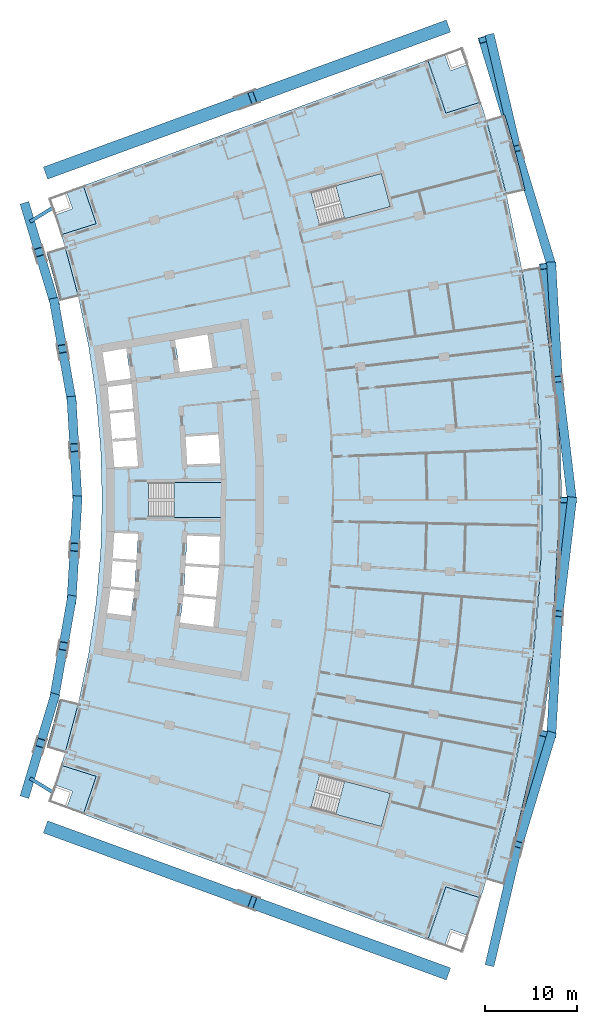
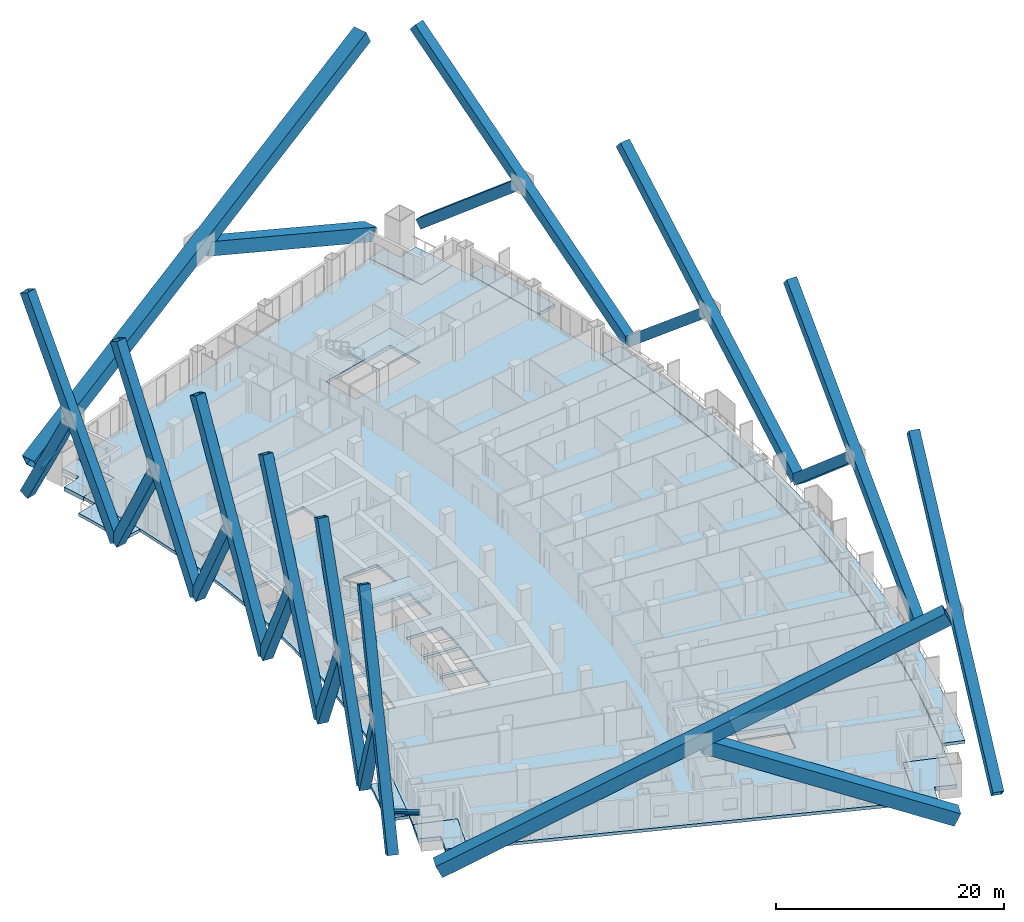
# One storey, part 12 of 25: 26 members, 12 slabs, 3 elements without a shape of their own.
"""IFC4 building model written with IfcOpenShell, lengths in metres."""

import ifcopenshell
import ifcopenshell.guid

model = None  # the IFC model being written
_history = None  # IfcOwnerHistory: only IFC2X3 demands one
_inside = {}  # id of a spatial element -> (the spatial element, [elements in it])
_under = {}  # id of a project, library or spatial element -> (it, [spatial elements below it])
_declared = {}  # id of a project -> (the project, [libraries it declares])
_typed = {}  # id of a type object -> (the type object, [elements of that type])
_made_of = {}  # id of a material, layer set ... -> (it, [elements and type objects made of it])


def new_model(schema):
    """Start an empty IFC model of exactly this schema.

    Asked for "IFC4X3", IfcOpenShell would pick the latest addendum, in which some entities
    have other attributes; the version numbers below select the first issue.
    IFC2X3 requires an IfcOwnerHistory on every rooted entity: one is made here for all.
    """
    global model, _history
    if schema == "IFC4X3":
        model = ifcopenshell.file(schema_version=(4, 3, 0, 0))
    else:
        model = ifcopenshell.file(schema=schema)
    _inside.clear()
    _under.clear()
    _declared.clear()
    _typed.clear()
    _made_of.clear()
    _history = None
    if model.schema == "IFC2X3":
        org = make("IfcOrganization", Name="unknown")
        user = make(
            "IfcPersonAndOrganization",
            ThePerson=make("IfcPerson", FamilyName="unknown"),
            TheOrganization=org,
        )
        app = make(
            "IfcApplication",
            ApplicationDeveloper=org,
            Version="unknown",
            ApplicationFullName="unknown",
            ApplicationIdentifier="unknown",
        )
        _history = make(
            "IfcOwnerHistory",
            OwningUser=user,
            OwningApplication=app,
            ChangeAction="ADDED",
            CreationDate=0,
        )
    return model


def make(cls, **values):
    """One entity of the class cls with the attributes given. An attribute that is None is left unset."""
    return model.create_entity(
        cls, **{name: value for name, value in values.items() if value is not None}
    )


def rooted(cls, **values):
    """An entity with a GlobalId (a new one), such as an element, a storey or a relation."""
    return make(cls, GlobalId=ifcopenshell.guid.new(), OwnerHistory=_history, **values)


def si_unit(unit_type, name, prefix=None):
    """IfcSIUnit, for example si_unit("LENGTHUNIT", "METRE", prefix="MILLI")."""
    return make("IfcSIUnit", UnitType=unit_type, Prefix=prefix, Name=name)


def assignment(units):
    """IfcUnitAssignment: the units of a project."""
    return None if units is None else make("IfcUnitAssignment", Units=units)


def point(xyz):
    """IfcCartesianPoint."""
    return None if xyz is None else make("IfcCartesianPoint", Coordinates=xyz)


def direction(xyz):
    """IfcDirection."""
    return None if xyz is None else make("IfcDirection", DirectionRatios=xyz)


def frame(location, z_axis=None, x_axis=None):
    """IfcAxis2Placement3D, a coordinate frame: its origin and axes. An axis left out is left unset."""
    return make(
        "IfcAxis2Placement3D",
        Location=point(location),
        Axis=direction(z_axis),
        RefDirection=direction(x_axis),
    )


def frame_2d(location, x_axis=None):
    """IfcAxis2Placement2D, a coordinate frame in the plane: its origin and x axis."""
    return make(
        "IfcAxis2Placement2D", Location=point(location), RefDirection=direction(x_axis)
    )


def origin():
    """The frame at (0, 0, 0) with its axes left unset."""
    return frame((0.0, 0.0, 0.0))


def origin_2d():
    """The frame at (0, 0) in the plane with its x axis left unset."""
    return frame_2d((0.0, 0.0))


def place(relative_to, where):
    """IfcLocalPlacement: puts the frame where relative to a parent placement (None: the world)."""
    return make(
        "IfcLocalPlacement", PlacementRelTo=relative_to, RelativePlacement=where
    )


def context(
    kind, dimensions, precision=None, world=None, true_north=None, identifier=None
):
    """IfcGeometricRepresentationContext, for example the 3D "Model" context."""
    return make(
        "IfcGeometricRepresentationContext",
        ContextIdentifier=identifier,
        ContextType=kind,
        CoordinateSpaceDimension=dimensions,
        Precision=precision,
        WorldCoordinateSystem=world,
        TrueNorth=true_north,
    )


def subcontext(parent, identifier, kind, view, scale=None):
    """IfcGeometricRepresentationSubContext, for example "Body" below "Model"."""
    return make(
        "IfcGeometricRepresentationSubContext",
        ContextIdentifier=identifier,
        ContextType=kind,
        ParentContext=parent,
        TargetScale=scale,
        TargetView=view,
    )


def project(units=None, contexts=None):
    """IfcProject with its units and contexts."""
    return rooted(
        "IfcProject",
        Name="project",
        RepresentationContexts=contexts,
        UnitsInContext=assignment(units),
    )


def spatial(cls, under=None, at=None, **own):
    """A site, building, storey or space (cls), placed at a placement, below another one or the project."""
    s = rooted(cls, ObjectPlacement=at, **own)
    if under is not None:
        _under.setdefault(under.id(), (under, []))[1].append(s)
    return s


def polyline(points):
    """IfcPolyline through the points."""
    return make("IfcPolyline", Points=[point(p) for p in points])


def profile(cls, at=None, kind="AREA", **sizes):
    """A parametric profile (cls). Its sizes go by their IFC names, for example OverallWidth=200.0."""
    return make(cls, ProfileType=kind, Position=at, **sizes)


def hollow_rectangle(**sizes):
    """IfcRectangleHollowProfileDef."""
    return profile("IfcRectangleHollowProfileDef", **sizes)


def i_section(**sizes):
    """IfcIShapeProfileDef."""
    return profile("IfcIShapeProfileDef", **sizes)


def outline(outer, holes=None, kind="AREA"):
    """IfcArbitraryClosedProfileDef: a profile drawn as a closed curve; with holes, ...WithVoids."""
    if holes is None:
        return make("IfcArbitraryClosedProfileDef", ProfileType=kind, OuterCurve=outer)
    return make(
        "IfcArbitraryProfileDefWithVoids",
        ProfileType=kind,
        OuterCurve=outer,
        InnerCurves=holes,
    )


def extrude(swept, where, along, depth):
    """IfcExtrudedAreaSolid: the profile swept, set in the frame where, extruded along a direction by depth."""
    return make(
        "IfcExtrudedAreaSolid",
        SweptArea=swept,
        Position=where,
        ExtrudedDirection=direction(along),
        Depth=depth,
    )


def shape(context_of_items, identifier, shape_type, items):
    """IfcShapeRepresentation: the items that make up one representation, for example the "Body"."""
    return make(
        "IfcShapeRepresentation",
        ContextOfItems=context_of_items,
        RepresentationIdentifier=identifier,
        RepresentationType=shape_type,
        Items=items,
    )


def material(Name=None, Category=None):
    """IfcMaterial."""
    return make("IfcMaterial", Name=Name, Category=Category)


def layer(
    of_material, thickness, ventilated=None, Name=None, Category=None, Priority=None
):
    """IfcMaterialLayer: one layer of a wall or slab, of a material (None: an air gap)."""
    return make(
        "IfcMaterialLayer",
        Material=of_material,
        LayerThickness=thickness,
        IsVentilated=ventilated,
        Name=Name,
        Category=Category,
        Priority=Priority,
    )


def layer_set(layers, Name=None):
    """IfcMaterialLayerSet."""
    return make("IfcMaterialLayerSet", MaterialLayers=layers, LayerSetName=Name)


def material_profile(
    of_material, cross_section, Name=None, Category=None, Priority=None
):
    """IfcMaterialProfile: a cross section and its material."""
    return make(
        "IfcMaterialProfile",
        Name=Name,
        Material=of_material,
        Profile=cross_section,
        Priority=Priority,
        Category=Category,
    )


def profile_set(profiles, Name=None, composite=None):
    """IfcMaterialProfileSet."""
    return make(
        "IfcMaterialProfileSet",
        Name=Name,
        MaterialProfiles=profiles,
        CompositeProfile=composite,
    )


def made_of(thing, what):
    """Note that an element or type object is made of a material, layer set ...; save() writes the relation."""
    if what is not None:
        _made_of.setdefault(what.id(), (what, []))[1].append(thing)
    return thing


def type_object(cls, material=None, **own):
    """A type object (cls), such as IfcWallType, which elements share."""
    return made_of(rooted(cls, **own), material)


def element(
    cls,
    number,
    at=None,
    inside=None,
    cuts=None,
    type_object=None,
    material=None,
    context=None,
    identifier="Body",
    shape_type=None,
    held_by="IfcProductDefinitionShape",
    body=None,
    shapes=None,
    **own,
):
    """One element of the class cls, such as IfcWall. Its Tag is "e" and its number.

    at: its placement. inside: the storey or other place that contains it. cuts: it is an
    opening in that element (IfcRelVoidsElement). A single representation is given by context,
    identifier, shape_type and body (its items); several are given by shapes. held_by: the class
    of the entity that holds the representations. save() writes the other relations.
    """
    e = rooted(cls, Tag="e%d" % number, ObjectPlacement=at, **own)
    if body is not None:
        shapes = [shape(context, identifier, shape_type, body)]
    if shapes is not None:
        e.Representation = make(held_by, Representations=shapes)
    if inside is not None:
        _inside.setdefault(inside.id(), (inside, []))[1].append(e)
    if cuts is not None:
        rooted(
            "IfcRelVoidsElement", RelatingBuildingElement=cuts, RelatedOpeningElement=e
        )
    if type_object is not None:
        _typed.setdefault(type_object.id(), (type_object, []))[1].append(e)
    return made_of(e, material)


def aggregate(whole, parts):
    """IfcRelAggregates: a whole, such as a stair, and the parts it consists of."""
    return rooted("IfcRelAggregates", RelatingObject=whole, RelatedObjects=parts)


def save(model, path):
    """Write the relations noted so far, then the file.

    IfcRelAggregates (storeys below a building ...), IfcRelContainedInSpatialStructure (elements
    in a storey), IfcRelDefinesByType, IfcRelAssociatesMaterial and IfcRelDeclares: one each for
    every whole, place, type object, material and project.
    """
    for whole, parts in _under.values():
        aggregate(whole, parts)
    for where, things in _inside.values():
        rooted(
            "IfcRelContainedInSpatialStructure",
            RelatedElements=things,
            RelatingStructure=where,
        )
    for kind, things in _typed.values():
        rooted("IfcRelDefinesByType", RelatedObjects=things, RelatingType=kind)
    for what, things in _made_of.values():
        rooted("IfcRelAssociatesMaterial", RelatedObjects=things, RelatingMaterial=what)
    for by, libraries in _declared.values():
        rooted("IfcRelDeclares", RelatingContext=by, RelatedDefinitions=libraries)
    model.write(path)


model = new_model("IFC4")

# Units and contexts
model_context = context("Model", 3, precision=1e-05, world=origin(), true_north=direction((0.0, 1.0)))
body_context = subcontext(model_context, "Body", "Model", "MODEL_VIEW")
ifc_project = project(units=[si_unit("LENGTHUNIT", "METRE"), si_unit("AREAUNIT", "SQUARE_METRE"), si_unit("VOLUMEUNIT", "CUBIC_METRE"), si_unit("PLANEANGLEUNIT", "RADIAN"), si_unit("MASSUNIT", "GRAM", prefix="KILO")], contexts=[model_context])

# Site, building, storey
site_placement = place(None, origin())
site = spatial("IfcSite", under=ifc_project, at=site_placement, CompositionType="ELEMENT")
building_placement = place(site_placement, origin())
building = spatial("IfcBuilding", under=site, at=building_placement, Name="Alderwake Tower", CompositionType="ELEMENT")
storey_placement = place(building_placement, frame((0.0, 0.0, 32.0)))
storey = spatial("IfcBuildingStorey", under=building, at=storey_placement, Name="L06", CompositionType="ELEMENT", Elevation=32.0)

# Members
ifc_material_1 = material(Name="Steel ASTM A992 Grade 50", Category="steel")
ifc_material_profile_1 = material_profile(ifc_material_1, i_section(OverallWidth=0.3740234375, OverallDepth=0.372314453125, WebThickness=0.016357421875, FlangeThickness=0.026123046875, at=origin_2d()), Name="W14X132")
ifc_profile_set_1 = profile_set([ifc_material_profile_1], Name="Steel ASTM A992 Grade 50")
member_type_1 = type_object("IfcMemberType", Name="Brace node stub W14X132", PredefinedType="MEMBER", material=ifc_profile_set_1)
for number, where, z_axis, x_axis, name in (
    (1, (10.514892578125, 29.16943359375, 3.393798828125), (-0.849932366855, 0.526891802719, 0.0), (-0.526891802719, -0.849932366855, 0.0), "Brace node stub BS.RR01-C0.356"),
    (2, (10.514892578125, 92.83056640625, 3.393798828125), (-0.849932366855, -0.526891802719, 0.0), (0.526891802719, -0.849932366855, 0.0), "Brace node stub BS.RR13-C0.356"),
):
    element("IfcMember", number, at=place(storey_placement, frame(where, z_axis=z_axis, x_axis=x_axis)), inside=storey, type_object=member_type_1, Name=name, PredefinedType="MEMBER", context=body_context, shape_type="SweptSolid", body=[
        extrude(i_section(OverallWidth=0.3740234375, OverallDepth=0.372314453125, WebThickness=0.016357421875, FlangeThickness=0.026123046875, at=origin_2d()), origin(), (0.0, 0.0, 1.0), 2.800048828125),
    ])
ifc_material_2 = material(Name="Steel ASTM A572 Grade 50", Category="steel")
ifc_material_profile_2 = material_profile(ifc_material_2, hollow_rectangle(XDim=1.39990234375, YDim=1.39990234375, WallThickness=0.080078125, at=origin_2d()), Name="BOX 1400X1400X80")
ifc_profile_set_2 = profile_set([ifc_material_profile_2], Name="Steel ASTM A572 Grade 50")
member_type_2 = type_object("IfcMemberType", Name="Mega brace end Z1", PredefinedType="BRACE", material=ifc_profile_set_2)
member_1_placement = place(storey_placement, frame((10.099365234375, 25.23681640625, 0.0), z_axis=(0.848259239387, -0.309640553225, 0.429626571097), x_axis=(0.342899527182, 0.939372085097, 0.0)))
element("IfcMember", 3, at=member_1_placement, inside=storey, type_object=member_type_2, Name="Brace BRS1.1.0A", PredefinedType="BRACE", context=body_context, shape_type="SweptSolid", body=[
    extrude(hollow_rectangle(XDim=1.39990234375, YDim=1.39990234375, WallThickness=0.080078125, at=origin_2d()), origin(), (0.0, 0.0, 1.0), 50.2763671875),
])
member_2_placement = place(storey_placement, frame((53.498291015625, 9.39501953125, 0.0), z_axis=(-0.850956720716, 0.310629259514, 0.423535267248), x_axis=(-0.342903465616, -0.939370647438, 0.0)))
element("IfcMember", 4, at=member_2_placement, inside=storey, type_object=member_type_2, Name="Brace BRS1.1.0B1", PredefinedType="BRACE", context=body_context, shape_type="SweptSolid", body=[
    extrude(hollow_rectangle(XDim=1.39990234375, YDim=1.39990234375, WallThickness=0.080078125, at=origin_2d()), origin(), (0.0, 0.0, 1.0), 24.81494140625),
])
member_3_placement = place(storey_placement, frame((10.099365234375, 96.76318359375, 0.0), z_axis=(0.848259239387, 0.309640553225, 0.429626571097), x_axis=(-0.342899527182, 0.939372085097, 0.0)))
element("IfcMember", 5, at=member_3_placement, inside=storey, type_object=member_type_2, Name="Brace BRN1.1.0A", PredefinedType="BRACE", context=body_context, shape_type="SweptSolid", body=[
    extrude(hollow_rectangle(XDim=1.39990234375, YDim=1.39990234375, WallThickness=0.080078125, at=origin_2d()), origin(), (0.0, 0.0, 1.0), 50.2763671875),
])
member_4_placement = place(storey_placement, frame((53.498291015625, 112.60498046875, 0.0), z_axis=(-0.850956720716, -0.310629259514, 0.423535267248), x_axis=(0.342903465616, -0.939370647438, 0.0)))
element("IfcMember", 6, at=member_4_placement, inside=storey, type_object=member_type_2, Name="Brace BRN1.1.0B1", PredefinedType="BRACE", context=body_context, shape_type="SweptSolid", body=[
    extrude(hollow_rectangle(XDim=1.39990234375, YDim=1.39990234375, WallThickness=0.080078125, at=origin_2d()), origin(), (0.0, 0.0, 1.0), 24.81494140625),
])
ifc_material_3 = material(Name="Steel ASTM A572 Grade 50", Category="steel")
ifc_material_profile_3 = material_profile(ifc_material_3, hollow_rectangle(XDim=1.0, YDim=1.0, WallThickness=0.06005859375, at=origin_2d()), Name="BOX 1000X1000X60")
ifc_profile_set_3 = profile_set([ifc_material_profile_3], Name="Steel ASTM A572 Grade 50")
member_type_3 = type_object("IfcMemberType", Name="Mega brace face Z1", PredefinedType="BRACE", material=ifc_profile_set_3)
member_5_placement = place(storey_placement, frame((58.32373046875, 10.5078125, 0.0), z_axis=(0.175463211733, 0.744874656975, 0.64371919866), x_axis=(-0.97335928121, 0.229285214703, 0.0)))
element("IfcMember", 7, at=member_5_placement, inside=storey, type_object=member_type_3, Name="Brace BRF1.1.1A", PredefinedType="BRACE", context=body_context, shape_type="SweptSolid", body=[
    extrude(hollow_rectangle(XDim=1.0, YDim=1.0, WallThickness=0.06005859375, at=origin_2d()), origin(), (0.0, 0.0, 1.0), 33.55517578125),
])
member_6_placement = place(storey_placement, frame((65.002197265625, 35.3623046875, 0.0), z_axis=(-0.221503198471, -0.732502097485, 0.643721220908), x_axis=(0.957193661096, -0.289448259899, 0.0)))
element("IfcMember", 8, at=member_6_placement, inside=storey, type_object=member_type_3, Name="Brace BRF1.1.1B1", PredefinedType="BRACE", context=body_context, shape_type="SweptSolid", body=[
    extrude(hollow_rectangle(XDim=1.0, YDim=1.0, WallThickness=0.06005859375, at=origin_2d()), origin(), (0.0, 0.0, 1.0), 16.3125),
])
member_7_placement = place(storey_placement, frame((65.002197265625, 35.3623046875, 0.0), z_axis=(0.043094601713, 0.764046988874, 0.643719701497), x_axis=(-0.998413131645, 0.056313573484, 0.0)))
element("IfcMember", 9, at=member_7_placement, inside=storey, type_object=member_type_3, Name="Brace BRF1.1.4A", PredefinedType="BRACE", context=body_context, shape_type="SweptSolid", body=[
    extrude(hollow_rectangle(XDim=1.0, YDim=1.0, WallThickness=0.06005859375, at=origin_2d()), origin(), (0.0, 0.0, 1.0), 33.55517578125),
])
member_8_placement = place(storey_placement, frame((67.251220703125, 61.0, 0.0), z_axis=(-0.090592042728, -0.759877613314, 0.643722839877), x_axis=(0.992968254363, -0.118380935233, 0.0)))
element("IfcMember", 10, at=member_8_placement, inside=storey, type_object=member_type_3, Name="Brace BRF1.1.4B1", PredefinedType="BRACE", context=body_context, shape_type="SweptSolid", body=[
    extrude(hollow_rectangle(XDim=1.0, YDim=1.0, WallThickness=0.06005859375, at=origin_2d()), origin(), (0.0, 0.0, 1.0), 16.3125),
])
member_9_placement = place(storey_placement, frame((67.251220703125, 61.0, 0.0), z_axis=(-0.090591234071, 0.759879358694, 0.643720893354), x_axis=(-0.99296841054, -0.118379625232, 0.0)))
element("IfcMember", 11, at=member_9_placement, inside=storey, type_object=member_type_3, Name="Brace BRF1.1.7A", PredefinedType="BRACE", context=body_context, shape_type="SweptSolid", body=[
    extrude(hollow_rectangle(XDim=1.0, YDim=1.0, WallThickness=0.06005859375, at=origin_2d()), origin(), (0.0, 0.0, 1.0), 33.55517578125),
])
member_10_placement = place(storey_placement, frame((65.002197265625, 86.6376953125, 0.0), z_axis=(0.043088184983, -0.764048256878, 0.643718626013), x_axis=(0.998413608304, 0.056305121904, 0.0)))
element("IfcMember", 12, at=member_10_placement, inside=storey, type_object=member_type_3, Name="Brace BRF1.1.7B1", PredefinedType="BRACE", context=body_context, shape_type="SweptSolid", body=[
    extrude(hollow_rectangle(XDim=1.0, YDim=1.0, WallThickness=0.06005859375, at=origin_2d()), origin(), (0.0, 0.0, 1.0), 16.3125),
])
member_11_placement = place(storey_placement, frame((65.002197265625, 86.6376953125, 0.0), z_axis=(-0.221512203924, 0.732500004673, 0.643720503531), x_axis=(-0.957190171536, -0.28945979948, 0.0)))
element("IfcMember", 13, at=member_11_placement, inside=storey, type_object=member_type_3, Name="Brace BRF1.1.10A", PredefinedType="BRACE", context=body_context, shape_type="SweptSolid", body=[
    extrude(hollow_rectangle(XDim=1.0, YDim=1.0, WallThickness=0.06005859375, at=origin_2d()), origin(), (0.0, 0.0, 1.0), 33.55517578125),
])
member_12_placement = place(storey_placement, frame((58.32373046875, 111.4921875, 0.0), z_axis=(0.175465512751, -0.74487534712, 0.643717772854), x_axis=(0.973358657562, 0.229287862191, 0.0)))
element("IfcMember", 14, at=member_12_placement, inside=storey, type_object=member_type_3, Name="Brace BRF1.1.10B1", PredefinedType="BRACE", context=body_context, shape_type="SweptSolid", body=[
    extrude(hollow_rectangle(XDim=1.0, YDim=1.0, WallThickness=0.06005859375, at=origin_2d()), origin(), (0.0, 0.0, 1.0), 16.312744140625),
])
member_13_placement = place(storey_placement, frame((7.6435546875, 29.007568359375, 0.0), z_axis=(0.129343546132, 0.430822122987, 0.893119558301), x_axis=(-0.957766969321, 0.287545531138, 0.0)))
element("IfcMember", 15, at=member_13_placement, inside=storey, type_object=member_type_3, Name="Brace BRR1.1.1A", PredefinedType="BRACE", context=body_context, shape_type="SweptSolid", body=[
    extrude(hollow_rectangle(XDim=1.0, YDim=1.0, WallThickness=0.06005859375, at=origin_2d()), origin(), (0.0, 0.0, 1.0), 24.18505859375),
])
member_14_placement = place(storey_placement, frame((10.771728515625, 39.427001953125, 0.0), z_axis=(-0.129358137216, -0.430824763775, 0.893116171198), x_axis=(0.957758521063, -0.2875736694, 0.0)))
element("IfcMember", 16, at=member_14_placement, inside=storey, type_object=member_type_3, Name="Brace BRR1.1.1B1", PredefinedType="BRACE", context=body_context, shape_type="SweptSolid", body=[
    extrude(hollow_rectangle(XDim=1.0, YDim=1.0, WallThickness=0.06005859375, at=origin_2d()), origin(), (0.0, 0.0, 1.0), 11.46728515625),
])
member_15_placement = place(storey_placement, frame((10.771728515625, 39.427001953125, 0.0), z_axis=(0.078314901955, 0.442946581964, 0.893120989373), x_axis=(-0.984727251906, 0.174104104931, 0.0)))
element("IfcMember", 17, at=member_15_placement, inside=storey, type_object=member_type_3, Name="Brace BRR1.1.3A", PredefinedType="BRACE", context=body_context, shape_type="SweptSolid", body=[
    extrude(hollow_rectangle(XDim=1.0, YDim=1.0, WallThickness=0.06005859375, at=origin_2d()), origin(), (0.0, 0.0, 1.0), 24.18505859375),
])
member_16_placement = place(storey_placement, frame((12.665771484375, 50.1396484375, 0.0), z_axis=(-0.078326508612, -0.442941835195, 0.893122325711), x_axis=(0.984722507824, -0.174130935174, 0.0)))
element("IfcMember", 18, at=member_16_placement, inside=storey, type_object=member_type_3, Name="Brace BRR1.1.3B1", PredefinedType="BRACE", context=body_context, shape_type="SweptSolid", body=[
    extrude(hollow_rectangle(XDim=1.0, YDim=1.0, WallThickness=0.06005859375, at=origin_2d()), origin(), (0.0, 0.0, 1.0), 11.46728515625),
])
member_17_placement = place(storey_placement, frame((12.665771484375, 50.1396484375, 0.0), z_axis=(0.026226073785, 0.449053374223, 0.893119958434), x_axis=(-0.998298894059, 0.058303671585, 0.0)))
element("IfcMember", 19, at=member_17_placement, inside=storey, type_object=member_type_3, Name="Brace BRR1.1.5A", PredefinedType="BRACE", context=body_context, shape_type="SweptSolid", body=[
    extrude(hollow_rectangle(XDim=1.0, YDim=1.0, WallThickness=0.06005859375, at=origin_2d()), origin(), (0.0, 0.0, 1.0), 24.18505859375),
])
member_18_placement = place(storey_placement, frame((13.300048828125, 61.0, 0.0), z_axis=(-0.026229437528, -0.449051376903, 0.893120863886), x_axis=(0.99829844368, -0.058311382639, 0.0)))
element("IfcMember", 20, at=member_18_placement, inside=storey, type_object=member_type_3, Name="Brace BRR1.1.5B1", PredefinedType="BRACE", context=body_context, shape_type="SweptSolid", body=[
    extrude(hollow_rectangle(XDim=1.0, YDim=1.0, WallThickness=0.06005859375, at=origin_2d()), origin(), (0.0, 0.0, 1.0), 11.46728515625),
])
member_19_placement = place(storey_placement, frame((13.300048828125, 61.0, 0.0), z_axis=(-0.026226073785, 0.449053374223, 0.893119958434), x_axis=(-0.998298894059, -0.058303671585, 0.0)))
element("IfcMember", 21, at=member_19_placement, inside=storey, type_object=member_type_3, Name="Brace BRR1.1.7A", PredefinedType="BRACE", context=body_context, shape_type="SweptSolid", body=[
    extrude(hollow_rectangle(XDim=1.0, YDim=1.0, WallThickness=0.06005859375, at=origin_2d()), origin(), (0.0, 0.0, 1.0), 24.18505859375),
])
member_20_placement = place(storey_placement, frame((12.665771484375, 71.8603515625, 0.0), z_axis=(0.026229186763, -0.449068373694, 0.893112325248), x_axis=(0.998298604604, 0.058308627548, 0.0)))
element("IfcMember", 22, at=member_20_placement, inside=storey, type_object=member_type_3, Name="Brace BRR1.1.7B1", PredefinedType="BRACE", context=body_context, shape_type="SweptSolid", body=[
    extrude(hollow_rectangle(XDim=1.0, YDim=1.0, WallThickness=0.06005859375, at=origin_2d()), origin(), (0.0, 0.0, 1.0), 11.467529296875),
])
member_21_placement = place(storey_placement, frame((12.665771484375, 71.8603515625, 0.0), z_axis=(-0.078314901955, 0.442946581964, 0.893120989373), x_axis=(-0.984727251906, -0.174104104931, 0.0)))
element("IfcMember", 23, at=member_21_placement, inside=storey, type_object=member_type_3, Name="Brace BRR1.1.9A", PredefinedType="BRACE", context=body_context, shape_type="SweptSolid", body=[
    extrude(hollow_rectangle(XDim=1.0, YDim=1.0, WallThickness=0.06005859375, at=origin_2d()), origin(), (0.0, 0.0, 1.0), 24.18505859375),
])
member_22_placement = place(storey_placement, frame((10.771728515625, 82.572998046875, 0.0), z_axis=(0.078325769962, -0.442958948039, 0.893113903213), x_axis=(0.984723942876, 0.17412281966, 0.0)))
element("IfcMember", 24, at=member_22_placement, inside=storey, type_object=member_type_3, Name="Brace BRR1.1.9B1", PredefinedType="BRACE", context=body_context, shape_type="SweptSolid", body=[
    extrude(hollow_rectangle(XDim=1.0, YDim=1.0, WallThickness=0.06005859375, at=origin_2d()), origin(), (0.0, 0.0, 1.0), 11.46728515625),
])
member_23_placement = place(storey_placement, frame((10.771728515625, 82.572998046875, 0.0), z_axis=(-0.129343546132, 0.430822122987, 0.893119558301), x_axis=(-0.957766969321, -0.287545531138, 0.0)))
element("IfcMember", 25, at=member_23_placement, inside=storey, type_object=member_type_3, Name="Brace BRR1.1.11A", PredefinedType="BRACE", context=body_context, shape_type="SweptSolid", body=[
    extrude(hollow_rectangle(XDim=1.0, YDim=1.0, WallThickness=0.06005859375, at=origin_2d()), origin(), (0.0, 0.0, 1.0), 24.18505859375),
])
member_24_placement = place(storey_placement, frame((7.6435546875, 92.992431640625, 0.0), z_axis=(0.12933720337, -0.430825950189, 0.89311863068), x_axis=(0.95777155602, 0.287530253154, 0.0)))
element("IfcMember", 26, at=member_24_placement, inside=storey, type_object=member_type_3, Name="Brace BRR1.1.11B1", PredefinedType="BRACE", context=body_context, shape_type="SweptSolid", body=[
    extrude(hollow_rectangle(XDim=1.0, YDim=1.0, WallThickness=0.06005859375, at=origin_2d()), origin(), (0.0, 0.0, 1.0), 11.46728515625),
])

# Slabs
ifc_material_4 = material(Name="Concrete C50/60", Category="concrete")
ifc_layer_1 = layer(ifc_material_4, 0.320068359375)
ifc_layer_set_1 = layer_set([ifc_layer_1], Name="Balcony slab 320")
slab_type_1 = type_object("IfcSlabType", Name="Balcony slab 320", PredefinedType="FLOOR", material=ifc_layer_set_1)
slab_1_placement = place(storey_placement, frame((0.0, 0.0, -0.320068359375)))
element("IfcSlab", 27, at=slab_1_placement, inside=storey, type_object=slab_type_1, Name="Balcony BF02", PredefinedType="FLOOR", context=body_context, shape_type="SweptSolid", body=[
    extrude(outline(polyline([(59.9296875, 18.989013671875), (60.52734375, 21.0341796875), (61.09521484375, 23.087646484375), (61.633056640625, 25.1494140625), (62.140869140625, 27.218505859375), (62.618408203125, 29.294921875), (63.0654296875, 31.3779296875), (63.482421875, 33.467529296875), (63.868408203125, 35.562744140625), (64.22412109375, 37.66357421875), (64.54931640625, 39.769287109375), (64.843505859375, 41.87939453125), (65.106689453125, 43.99365234375), (65.33935546875, 46.111572265625), (65.541015625, 48.232666015625), (65.7119140625, 50.356201171875), (65.8515625, 52.482421875), (65.960205078125, 54.610107421875), (66.037841796875, 56.739501953125), (66.08447265625, 58.869384765625), (66.10009765625, 61.0), (66.08447265625, 63.130615234375), (66.037841796875, 65.260498046875), (65.960205078125, 67.389892578125), (65.8515625, 69.517578125), (65.7119140625, 71.643798828125), (65.541015625, 73.767333984375), (65.33935546875, 75.888427734375), (65.106689453125, 78.00634765625), (64.843505859375, 80.12060546875), (64.54931640625, 82.230712890625), (64.22412109375, 84.33642578125), (63.868408203125, 86.437255859375), (61.800537109375, 86.071533203125), (62.151123046875, 84.001220703125), (62.471435546875, 81.925537109375), (62.761474609375, 79.845703125), (63.02099609375, 77.761962890625), (63.250244140625, 75.674560546875), (63.44921875, 73.583984375), (63.617431640625, 71.49072265625), (63.755126953125, 69.395263671875), (63.8623046875, 67.298095703125), (63.938720703125, 65.199462890625), (63.984619140625, 63.099853515625), (64.0, 61.0), (63.984619140625, 58.900146484375), (63.938720703125, 56.800537109375), (63.8623046875, 54.701904296875), (63.755126953125, 52.604736328125), (63.617431640625, 50.50927734375), (63.44921875, 48.416015625), (63.250244140625, 46.325439453125), (63.02099609375, 44.238037109375), (62.761474609375, 42.154296875), (62.471435546875, 40.074462890625), (62.151123046875, 37.998779296875), (61.800537109375, 35.928466796875), (61.419921875, 33.86328125), (61.00927734375, 31.8037109375), (60.568359375, 29.75048828125), (60.097900390625, 27.7041015625), (59.597412109375, 25.66455078125), (59.067138671875, 23.632568359375), (58.507568359375, 21.608642578125), (57.918212890625, 19.593017578125), (59.9296875, 18.989013671875)])), origin(), (0.0, 0.0, 1.0), 0.320068359375),
])
slab_2_placement = place(storey_placement, frame((0.0, 0.0, -0.320068359375)))
element("IfcSlab", 28, at=slab_2_placement, inside=storey, type_object=slab_type_1, Name="Balcony BF11", PredefinedType="FLOOR", context=body_context, shape_type="SweptSolid", body=[
    extrude(outline(polyline([(60.097900390625, 94.2958984375), (62.140869140625, 94.781494140625), (61.633056640625, 96.8505859375), (61.09521484375, 98.912353515625), (60.52734375, 100.9658203125), (59.9296875, 103.010986328125), (57.918212890625, 102.406982421875), (58.507568359375, 100.391357421875), (59.067138671875, 98.367431640625), (59.597412109375, 96.33544921875), (60.097900390625, 94.2958984375)])), origin(), (0.0, 0.0, 1.0), 0.320068359375),
])
slab_3_placement = place(storey_placement, frame((0.0, 0.0, -0.320068359375)))
element("IfcSlab", 29, at=slab_3_placement, inside=storey, type_object=slab_type_1, Name="Balcony BR02", PredefinedType="FLOOR", context=body_context, shape_type="SweptSolid", body=[
    extrude(outline(polyline([(9.93408203125, 33.999267578125), (11.945556640625, 33.395263671875), (13.3984375, 38.802734375), (11.35546875, 39.288330078125), (11.029052734375, 37.95849609375), (10.683349609375, 36.63330078125), (10.318359375, 35.3134765625), (9.93408203125, 33.999267578125)])), origin(), (0.0, 0.0, 1.0), 0.320068359375),
])
slab_4_placement = place(storey_placement, frame((0.0, 0.0, -0.320068359375)))
element("IfcSlab", 30, at=slab_4_placement, inside=storey, type_object=slab_type_1, Name="Balcony BR11", PredefinedType="FLOOR", context=body_context, shape_type="SweptSolid", body=[
    extrude(outline(polyline([(11.35546875, 82.711669921875), (13.3984375, 83.197265625), (11.945556640625, 88.604736328125), (9.93408203125, 88.000732421875), (10.318359375, 86.6865234375), (10.683349609375, 85.36669921875), (11.029052734375, 84.04150390625), (11.35546875, 82.711669921875)])), origin(), (0.0, 0.0, 1.0), 0.320068359375),
])
ifc_material_5 = material(Name="Concrete C50/60", Category="concrete")
ifc_layer_2 = layer(ifc_material_5, 0.320068359375)
ifc_layer_set_2 = layer_set([ifc_layer_2], Name="Concrete C50/60 post-tensioned flat plate 320")
slab_type_2 = type_object("IfcSlabType", Name="Concrete C50/60 post-tensioned flat plate 320", PredefinedType="FLOOR", material=ifc_layer_set_2)
slab_5_placement = place(storey_placement, frame((0.0, 0.0, -0.320068359375)))
element("IfcSlab", 31, at=slab_5_placement, inside=storey, type_object=slab_type_2, Name="Floor slab L06", PredefinedType="FLOOR", context=body_context, shape_type="SweptSolid", body=[
    extrude(outline(polyline([(15.34716796875, 30.8515625), (11.533203125, 32.057373046875), (11.945556640625, 33.395263671875), (13.3984375, 38.802734375), (14.53369140625, 44.28564453125), (15.347412109375, 49.825439453125), (15.836669921875, 55.4033203125), (16.0, 61.0), (15.836669921875, 66.5966796875), (15.347412109375, 72.174560546875), (14.53369140625, 77.71435546875), (13.3984375, 83.197265625), (11.945556640625, 88.604736328125), (11.533203125, 89.942626953125), (15.34716796875, 91.1484375), (13.937255859375, 95.289794921875), (51.51220703125, 109.005615234375), (53.48583984375, 103.2080078125), (57.2998046875, 104.413818359375), (57.918212890625, 102.406982421875), (60.097900390625, 94.2958984375), (61.800537109375, 86.071533203125), (63.02099609375, 77.761962890625), (63.755126953125, 69.395263671875), (64.0, 61.0), (63.755126953125, 52.604736328125), (63.02099609375, 44.238037109375), (61.800537109375, 35.928466796875), (60.097900390625, 27.7041015625), (57.918212890625, 19.593017578125), (57.2998046875, 17.586181640625), (53.48583984375, 18.7919921875), (51.51220703125, 12.994384765625), (13.937255859375, 26.710205078125), (15.34716796875, 30.8515625)]), holes=[polyline([(19.495361328125, 51.017333984375), (16.943359375, 51.26953125), (16.9580078125, 51.4189453125), (16.972900390625, 51.568115234375), (19.525146484375, 51.31591796875), (19.71630859375, 54.164794921875), (17.153564453125, 54.33642578125), (17.16357421875, 54.486083984375), (17.173583984375, 54.6357421875), (19.736083984375, 54.464111328125), (19.92724609375, 57.312744140625), (17.364013671875, 57.403564453125), (17.369140625, 57.553466796875), (17.33935546875, 57.554443359375), (17.1337890625, 54.48828125), (16.927978515625, 51.421875), (16.92822265625, 51.421875), (16.50927734375, 48.377197265625), (16.5390625, 48.373291015625), (16.577880859375, 48.6708984375), (19.138671875, 48.3359375), (19.495361328125, 51.017333984375)]), polyline([(29.0, 59.125), (29.0, 62.875), (21.050048828125, 62.875), (21.050048828125, 59.125), (29.0, 59.125)]), polyline([(19.9248046875, 64.687255859375), (19.688720703125, 67.53271484375), (17.12548828125, 67.361083984375), (17.115478515625, 67.510498046875), (17.10546875, 67.660400390625), (19.6640625, 67.831787109375), (19.42822265625, 70.674560546875), (16.87646484375, 70.42236328125), (16.86181640625, 70.571533203125), (16.846923828125, 70.720947265625), (19.403564453125, 70.973388671875), (19.179931640625, 73.66943359375), (16.646484375, 73.338134765625), (16.607666015625, 73.635498046875), (16.56884765625, 73.93310546875), (19.111083984375, 74.265625), (18.6240234375, 77.531982421875), (18.919921875, 77.575927734375), (18.916748046875, 77.593994140625), (16.082275390625, 77.10546875), (15.9345703125, 77.9619140625), (15.634765625, 77.908935546875), (15.63525390625, 77.9052734375), (15.9140625, 77.9482421875), (16.57763671875, 73.631591796875), (16.578369140625, 73.626220703125), (16.831787109375, 70.568603515625), (17.085693359375, 67.508544921875), (17.33935546875, 64.4482421875), (17.33935546875, 64.445556640625), (17.369384765625, 64.446533203125), (17.364013671875, 64.596435546875), (19.9248046875, 64.687255859375)]), polyline([(46.47119140625, 25.373291015625), (47.436279296875, 28.996826171875), (39.754150390625, 31.043212890625), (38.7890625, 27.41943359375), (46.47119140625, 25.373291015625)]), polyline([(28.40478515625, 50.136962890625), (24.87451171875, 50.48583984375), (24.878662109375, 50.52783203125), (24.875, 50.5283203125), (24.48974609375, 47.635986328125), (28.117919921875, 47.16162109375), (28.40478515625, 50.136962890625)]), polyline([(28.735107421875, 53.56005859375), (25.080810546875, 53.804931640625), (24.89501953125, 50.731201171875), (24.898681640625, 50.730712890625), (24.904052734375, 50.784423828125), (28.43359375, 50.435546875), (28.735107421875, 53.56005859375)]), polyline([(28.769287109375, 53.915283203125), (28.83740234375, 56.997314453125), (25.281494140625, 57.123291015625), (25.09912109375, 54.1044921875), (28.759521484375, 53.859130859375), (28.7578125, 53.8359375), (28.76171875, 53.835693359375), (28.769287109375, 53.915283203125)]), polyline([(25.2822265625, 64.876708984375), (28.873779296875, 65.00390625), (28.689453125, 68.13623046875), (25.101318359375, 67.895751953125), (25.2822265625, 64.876708984375)]), polyline([(28.0400390625, 75.433349609375), (27.490966796875, 79.072021484375), (23.932373046875, 78.45849609375), (23.93310546875, 78.454833984375), (23.9443359375, 78.45654296875), (24.4697265625, 74.972412109375), (24.36474609375, 74.95654296875), (24.365478515625, 74.952880859375), (28.0400390625, 75.433349609375)]), polyline([(47.436279296875, 93.003173828125), (46.47119140625, 96.626708984375), (38.7890625, 94.58056640625), (39.754150390625, 90.956787109375), (47.436279296875, 93.003173828125)])]), origin(), (0.0, 0.0, 1.0), 0.320068359375),
])

# Stair, slab
ifc_material_6 = material(Name="Concrete C40/50", Category="concrete")
stair_type = type_object("IfcStairType", Name="Core exit stair", PredefinedType="HALF_TURN_STAIR", material=ifc_material_6)
stair_1_placement = place(storey_placement, origin())
stair_1 = element("IfcStair", 32, at=stair_1_placement, inside=storey, type_object=stair_type, Name="L06 Exit Stair B", PredefinedType="HALF_TURN_STAIR")
ifc_material_7 = material(Name="Concrete C40/50", Category="concrete")
ifc_layer_3 = layer(ifc_material_7, 0.199951171875)
ifc_layer_set_3 = layer_set([ifc_layer_3], Name="Core stair landing 200")
slab_type_3 = type_object("IfcSlabType", Name="Core stair landing 200", PredefinedType="LANDING", material=ifc_layer_set_3)
slab_6_placement = place(storey_placement, frame((0.0, 0.0, 1.60009765625)))
slab_6 = element("IfcSlab", 33, at=slab_6_placement, type_object=slab_type_3, Name="ST-B landing 1", PredefinedType="LANDING", context=body_context, shape_type="SweptSolid", body=[
    extrude(outline(polyline([(23.830078125, 59.074951171875), (29.0, 59.074951171875), (29.0, 62.925048828125), (23.830078125, 62.925048828125), (23.830078125, 59.074951171875)])), origin(), (0.0, 0.0, 1.0), 0.199951171875),
])
aggregate(stair_1, [slab_6])

stair_2_placement = place(storey_placement, origin())
stair_2 = element("IfcStair", 34, at=stair_2_placement, inside=storey, type_object=stair_type, Name="L06 Exit Stair A", PredefinedType="HALF_TURN_STAIR")
slab_7_placement = place(storey_placement, frame((0.0, 0.0, 1.60009765625)))
slab_7 = element("IfcSlab", 35, at=slab_7_placement, type_object=slab_type_3, Name="ST-A landing 1", PredefinedType="LANDING", context=body_context, shape_type="SweptSolid", body=[
    extrude(outline(polyline([(42.440673828125, 91.67236328125), (47.436279296875, 93.003173828125), (46.47119140625, 96.626708984375), (41.475341796875, 95.296142578125), (42.440673828125, 91.67236328125)])), origin(), (0.0, 0.0, 1.0), 0.199951171875),
])
aggregate(stair_2, [slab_7])

stair_3_placement = place(storey_placement, origin())
stair_3 = element("IfcStair", 36, at=stair_3_placement, inside=storey, type_object=stair_type, Name="L06 Exit Stair C", PredefinedType="HALF_TURN_STAIR")
slab_8_placement = place(storey_placement, frame((0.0, 0.0, 1.60009765625)))
slab_8 = element("IfcSlab", 37, at=slab_8_placement, type_object=slab_type_3, Name="ST-C landing 1", PredefinedType="LANDING", context=body_context, shape_type="SweptSolid", body=[
    extrude(outline(polyline([(41.475341796875, 26.703857421875), (46.47119140625, 25.373291015625), (47.436279296875, 28.996826171875), (42.4404296875, 30.32763671875), (41.475341796875, 26.703857421875)])), origin(), (0.0, 0.0, 1.0), 0.199951171875),
])
aggregate(stair_3, [slab_8])

# Slabs
ifc_material_8 = material(Name="Concrete C50/60", Category="concrete")
ifc_layer_4 = layer(ifc_material_8, 0.419921875)
ifc_layer_set_4 = layer_set([ifc_layer_4], Name="Terrace slab 420")
slab_type_4 = type_object("IfcSlabType", Name="Terrace slab 420", PredefinedType="FLOOR", material=ifc_layer_set_4)
slab_9_placement = place(storey_placement, frame((0.0, 0.0, -0.419921875)))
element("IfcSlab", 38, at=slab_9_placement, inside=storey, type_object=slab_type_4, Name="Corner terrace FS", PredefinedType="FLOOR", context=body_context, shape_type="SweptSolid", body=[
    extrude(outline(polyline([(55.975341796875, 13.6005859375), (55.92626953125, 13.462890625), (54.141845703125, 14.1015625), (54.127685546875, 14.10595703125), (54.11328125, 14.108642578125), (54.0986328125, 14.110107421875), (54.083984375, 14.110107421875), (54.0693359375, 14.108642578125), (54.054931640625, 14.10595703125), (54.040771484375, 14.1015625), (54.027099609375, 14.095947265625), (54.01416015625, 14.089111328125), (54.001953125, 14.080810546875), (53.990478515625, 14.071533203125), (53.980224609375, 14.06103515625), (53.970703125, 14.0498046875), (53.962646484375, 14.03759765625), (53.955810546875, 14.0244140625), (53.9501953125, 14.010986328125), (53.346435546875, 12.32470703125), (51.51220703125, 12.994384765625), (52.1982421875, 14.917236328125), (52.856201171875, 16.85009765625), (53.48583984375, 18.7919921875), (57.2998046875, 17.586181640625), (56.652099609375, 15.58837890625), (55.975341796875, 13.6005859375)])), origin(), (0.0, 0.0, 1.0), 0.419921875),
])
slab_10_placement = place(storey_placement, frame((0.0, 0.0, -0.419921875)))
element("IfcSlab", 39, at=slab_10_placement, inside=storey, type_object=slab_type_4, Name="Corner terrace RS", PredefinedType="FLOOR", context=body_context, shape_type="SweptSolid", body=[
    extrude(outline(polyline([(13.937255859375, 26.710205078125), (12.10888671875, 27.377685546875), (12.114013671875, 27.39013671875), (12.71533203125, 29.086669921875), (12.7197265625, 29.100830078125), (12.722412109375, 29.115234375), (12.723876953125, 29.1298828125), (12.723876953125, 29.14453125), (12.722412109375, 29.1591796875), (12.719482421875, 29.173583984375), (12.715087890625, 29.187744140625), (12.70947265625, 29.201416015625), (12.702392578125, 29.21435546875), (12.6943359375, 29.2265625), (12.684814453125, 29.23779296875), (12.674560546875, 29.248291015625), (12.6630859375, 29.257568359375), (12.65087890625, 29.265625), (12.6376953125, 29.272705078125), (12.624267578125, 29.2783203125), (10.82568359375, 29.915771484375), (11.101318359375, 30.7255859375), (11.533203125, 32.057373046875), (15.34716796875, 30.8515625), (13.937255859375, 26.710205078125)])), origin(), (0.0, 0.0, 1.0), 0.419921875),
])
slab_11_placement = place(storey_placement, frame((0.0, 0.0, -0.419921875)))
element("IfcSlab", 40, at=slab_11_placement, inside=storey, type_object=slab_type_4, Name="Corner terrace FN", PredefinedType="FLOOR", context=body_context, shape_type="SweptSolid", body=[
    extrude(outline(polyline([(55.975341796875, 108.3994140625), (56.652099609375, 106.41162109375), (57.2998046875, 104.413818359375), (53.48583984375, 103.2080078125), (52.856201171875, 105.14990234375), (52.1982421875, 107.082763671875), (51.51220703125, 109.005615234375), (53.346435546875, 109.67529296875), (53.9501953125, 107.989013671875), (53.955810546875, 107.9755859375), (53.962646484375, 107.96240234375), (53.970703125, 107.9501953125), (53.980224609375, 107.93896484375), (53.990478515625, 107.928466796875), (54.001953125, 107.919189453125), (54.01416015625, 107.910888671875), (54.027099609375, 107.904052734375), (54.040771484375, 107.8984375), (54.054931640625, 107.89404296875), (54.0693359375, 107.891357421875), (54.083984375, 107.889892578125), (54.0986328125, 107.889892578125), (54.11328125, 107.891357421875), (54.127685546875, 107.89404296875), (54.141845703125, 107.8984375), (55.92626953125, 108.537109375), (55.975341796875, 108.3994140625)])), origin(), (0.0, 0.0, 1.0), 0.419921875),
])
slab_12_placement = place(storey_placement, frame((0.0, 0.0, -0.419921875)))
element("IfcSlab", 41, at=slab_12_placement, inside=storey, type_object=slab_type_4, Name="Corner terrace RN", PredefinedType="FLOOR", context=body_context, shape_type="SweptSolid", body=[
    extrude(outline(polyline([(10.82568359375, 92.084228515625), (12.624267578125, 92.7216796875), (12.6376953125, 92.727294921875), (12.65087890625, 92.734375), (12.6630859375, 92.742431640625), (12.674560546875, 92.751708984375), (12.684814453125, 92.76220703125), (12.6943359375, 92.7734375), (12.702392578125, 92.78564453125), (12.70947265625, 92.798583984375), (12.715087890625, 92.812255859375), (12.719482421875, 92.826416015625), (12.722412109375, 92.8408203125), (12.723876953125, 92.85546875), (12.723876953125, 92.8701171875), (12.722412109375, 92.884765625), (12.7197265625, 92.899169921875), (12.71533203125, 92.913330078125), (12.114013671875, 94.60986328125), (12.10888671875, 94.622314453125), (13.937255859375, 95.289794921875), (15.34716796875, 91.1484375), (11.533203125, 89.942626953125), (11.101318359375, 91.2744140625), (10.82568359375, 92.084228515625)])), origin(), (0.0, 0.0, 1.0), 0.419921875),
])

save(model, "model.ifc")
